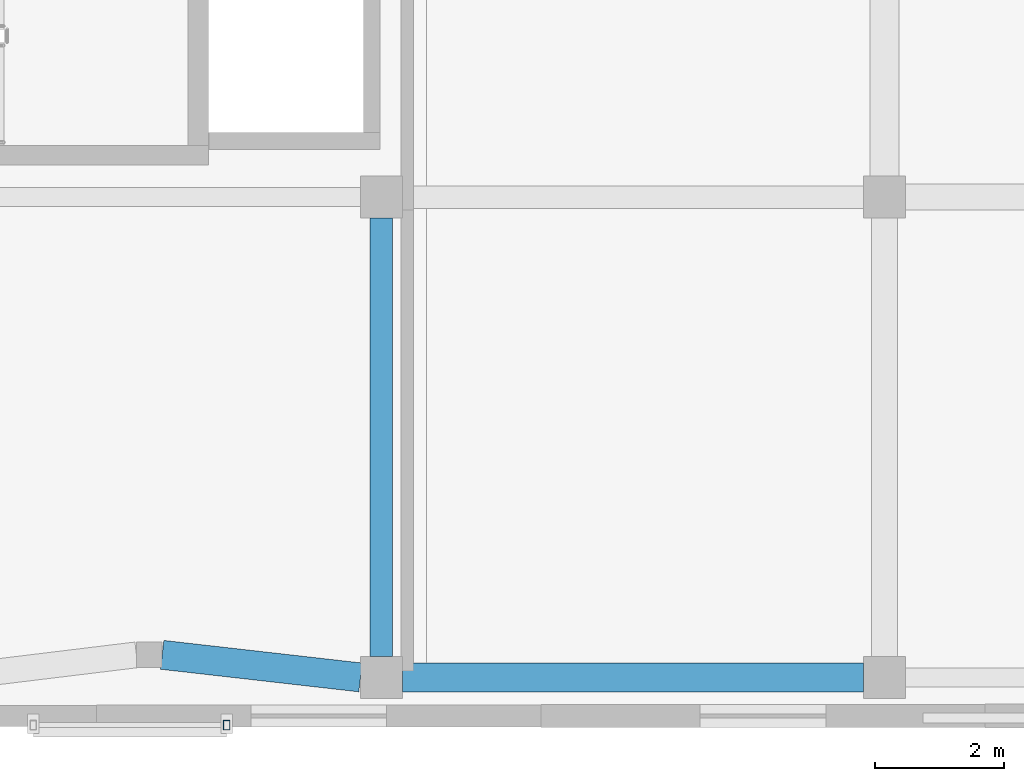
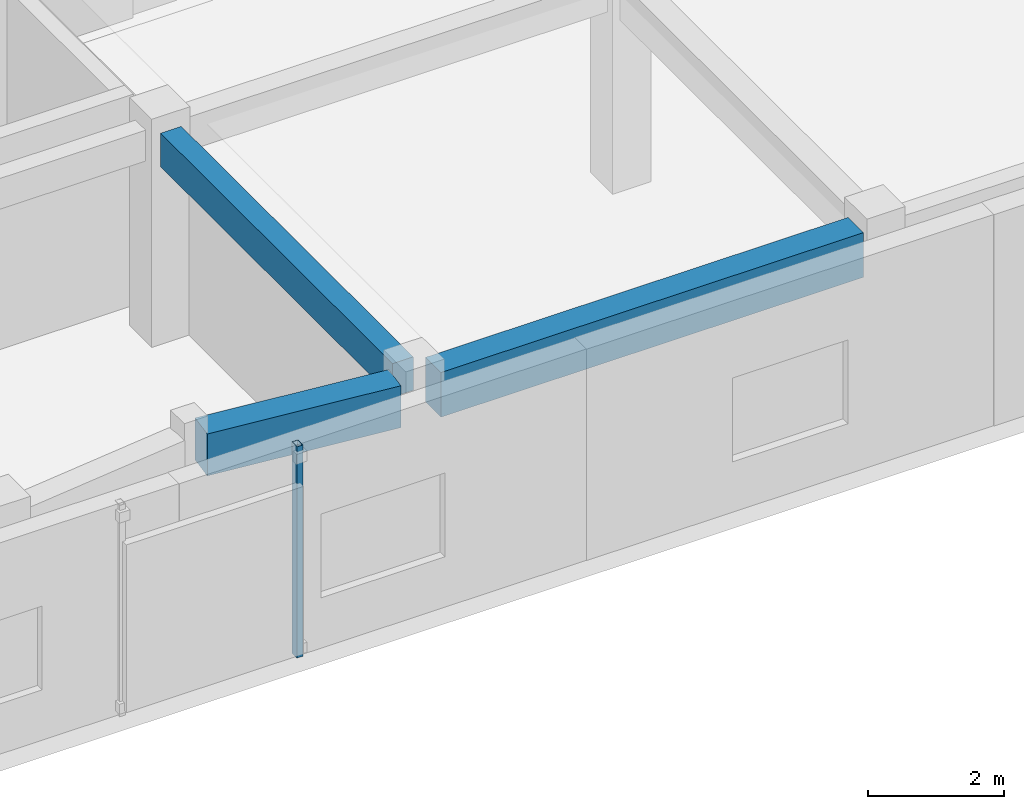
# One storey, part 58 of 146: 3 beams, 1 member.
"""IFC4 building model written with IfcOpenShell, lengths in metres."""

from ifc_helpers import new_model, si_unit, direction, frame, origin, origin_2d, place, context, subcontext, project, spatial, rectangle, hollow_rectangle, extrude, material, material_profile, profile_set, type_object, element, save


model = new_model("IFC4")

# Units and contexts
model_context = context("Model", 3, precision=1e-05, world=origin(), true_north=direction((0.0, 1.0)))
body_context = subcontext(model_context, "Body", "Model", "MODEL_VIEW")
ifc_project = project(units=[si_unit("LENGTHUNIT", "METRE"), si_unit("AREAUNIT", "SQUARE_METRE"), si_unit("VOLUMEUNIT", "CUBIC_METRE"), si_unit("PLANEANGLEUNIT", "RADIAN"), si_unit("MASSUNIT", "GRAM", prefix="KILO")], contexts=[model_context])

# Site, building, storey
site_placement = place(None, origin())
site = spatial("IfcSite", under=ifc_project, at=site_placement, CompositionType="ELEMENT")
building_placement = place(site_placement, origin())
building = spatial("IfcBuilding", under=site, at=building_placement, Name="Valcora Specialist Clinic", CompositionType="ELEMENT")
storey_placement = place(building_placement, frame((0.0, 0.0, 9.52001953125)))
storey = spatial("IfcBuildingStorey", under=building, at=storey_placement, Name="L02", CompositionType="ELEMENT", Elevation=9.52001953125)

# Beams
ifc_material_1 = material(Name="Concrete C40/50", Category="concrete")
ifc_material_profile_1 = material_profile(ifc_material_1, rectangle(XDim=0.35009765625, YDim=0.60009765625, at=origin_2d()), Name="RC-BM-350X600")
ifc_profile_set_1 = profile_set([ifc_material_profile_1], Name="Concrete C40/50")
beam_type_1 = type_object("IfcBeamType", Name="TY-BM-RC350X600", PredefinedType="BEAM", material=ifc_profile_set_1)
beam_1_placement = place(storey_placement, frame((99.39990234375, 1.074951171875, 3.47998046875), z_axis=(0.0, 1.0, 0.0), x_axis=(-1.0, 0.0, 0.0)))
element("IfcBeam", 1, at=beam_1_placement, inside=storey, type_object=beam_type_1, Name="Beam BM-L02-1410", PredefinedType="BEAM", context=body_context, shape_type="SweptSolid", body=[
    extrude(rectangle(XDim=0.35009765625, YDim=0.60009765625, at=origin_2d()), origin(), (0.0, 0.0, 1.0), 6.800048828125),
])
ifc_material_profile_2 = material_profile(ifc_material_1, rectangle(XDim=0.449951171875, YDim=0.75, at=origin_2d()), Name="RC-BM-450X750")
ifc_profile_set_2 = profile_set([ifc_material_profile_2], Name="Concrete C40/50")
beam_type_2 = type_object("IfcBeamType", Name="TY-BM-RC450X750", PredefinedType="BEAM", material=ifc_profile_set_2)
beam_2_placement = place(storey_placement, frame((96.0, 1.10009765625, 3.405029296875), z_axis=(0.993580893822, -0.113123858812, 0.0), x_axis=(0.113123858812, 0.993580893822, 0.0)))
element("IfcBeam", 2, at=beam_2_placement, inside=storey, type_object=beam_type_2, Name="Beam BM-L02-1367", PredefinedType="BEAM", context=body_context, shape_type="SweptSolid", body=[
    extrude(rectangle(XDim=0.449951171875, YDim=0.75, at=origin_2d()), origin(), (0.0, 0.0, 1.0), 3.0947265625),
])
ifc_material_profile_3 = material_profile(ifc_material_1, rectangle(XDim=0.449951171875, YDim=0.800048828125, at=origin_2d()), Name="RC-BM-450X800")
ifc_profile_set_3 = profile_set([ifc_material_profile_3], Name="Concrete C40/50")
beam_type_3 = type_object("IfcBeamType", Name="TY-BM-RC450X800", PredefinedType="BEAM", material=ifc_profile_set_3)
beam_3_placement = place(storey_placement, frame((99.72509765625, 0.75, 3.3798828125), z_axis=(1.0, 0.0, 0.0), x_axis=(0.0, 1.0, 0.0)))
element("IfcBeam", 3, at=beam_3_placement, inside=storey, type_object=beam_type_3, Name="Beam BM-L02-1368", PredefinedType="BEAM", context=body_context, shape_type="SweptSolid", body=[
    extrude(rectangle(XDim=0.449951171875, YDim=0.800048828125, at=origin_2d()), origin(), (0.0, 0.0, 1.0), 7.14990234375),
])

# Member
ifc_material_2 = material(Name="Steel ASTM A500 Grade C", Category="steel")
ifc_material_profile_4 = material_profile(ifc_material_2, hollow_rectangle(XDim=0.10009765625, YDim=0.14990234375, WallThickness=0.006103515625, at=origin_2d()), Name="ST-RHS-150X100X6")
ifc_profile_set_4 = profile_set([ifc_material_profile_4], Name="Steel ASTM A500 Grade C")
member_type = type_object("IfcMemberType", Name="TY-MB-SFPOST", PredefinedType="POST", material=ifc_profile_set_4)
member_placement = place(storey_placement, frame((97.0, 0.010009765625, 0.0), z_axis=(0.0, 0.0, 1.0), x_axis=(1.0, 0.0, 0.0)))
element("IfcMember", 4, at=member_placement, inside=storey, type_object=member_type, Name="Brick screen carrier post 118", PredefinedType="POST", context=body_context, shape_type="SweptSolid", body=[
    extrude(hollow_rectangle(XDim=0.10009765625, YDim=0.14990234375, WallThickness=0.006103515625, at=origin_2d()), origin(), (0.0, 0.0, 1.0), 3.780029296875),
])

save(model, "model.ifc")
